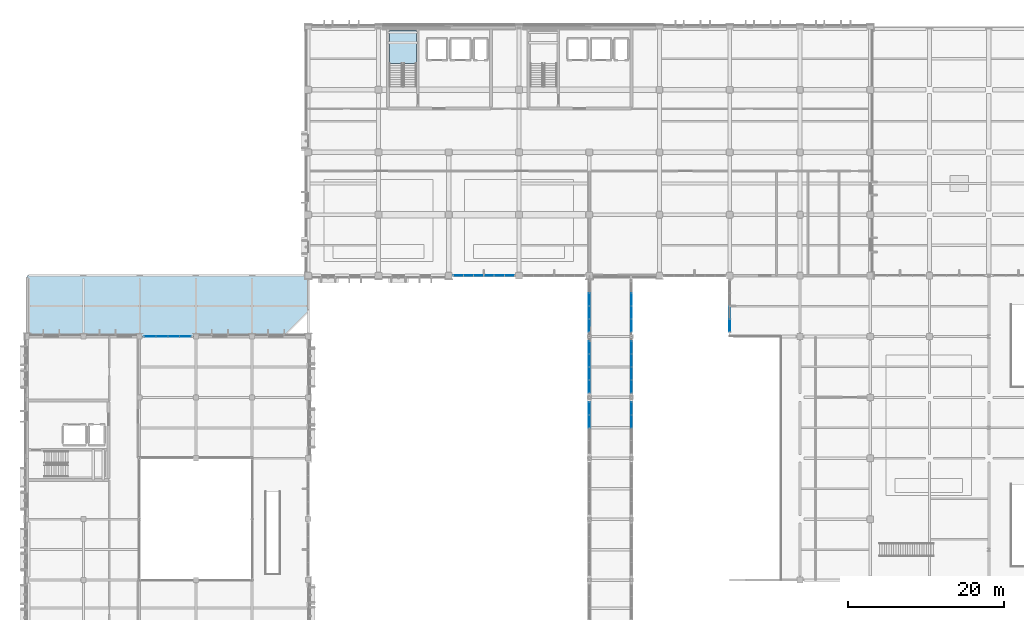
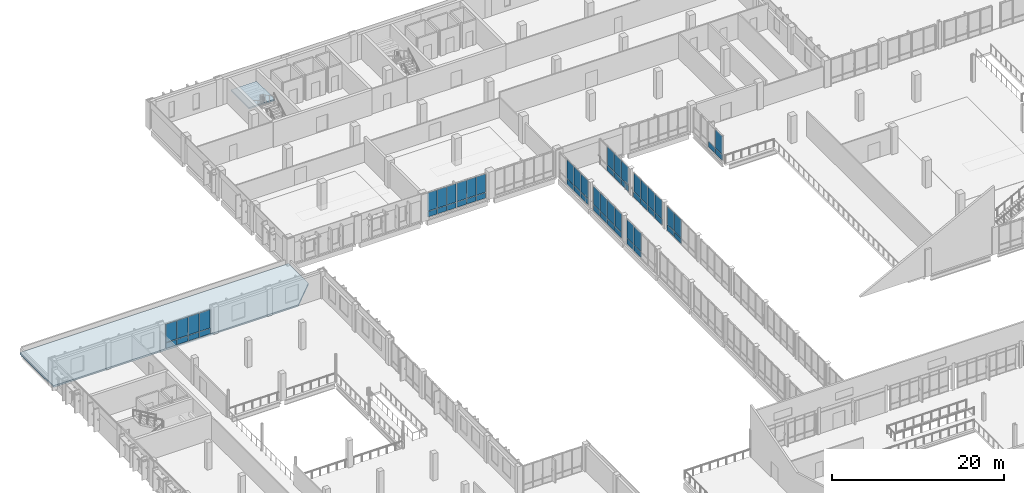
# One storey, part 47 of 85: 59 plates, 2 slabs, 11 elements without a shape of their own.
"""IFC4 building model written with IfcOpenShell, lengths in metres."""

from ifc_helpers import new_model, si_unit, direction, frame, origin, origin_2d, place, context, subcontext, project, spatial, polyline, rectangle, outline, extrude, material, layer, layer_set, type_object, element, aggregate, save


model = new_model("IFC4")

# Units and contexts
model_context = context("Model", 3, precision=1e-05, world=origin(), true_north=direction((0.0, 1.0)))
body_context = subcontext(model_context, "Body", "Model", "MODEL_VIEW")
ifc_project = project(units=[si_unit("LENGTHUNIT", "METRE"), si_unit("AREAUNIT", "SQUARE_METRE"), si_unit("VOLUMEUNIT", "CUBIC_METRE"), si_unit("PLANEANGLEUNIT", "RADIAN"), si_unit("MASSUNIT", "GRAM", prefix="KILO")], contexts=[model_context])

# Site, building, storey
site_placement = place(None, origin())
site = spatial("IfcSite", under=ifc_project, at=site_placement, CompositionType="ELEMENT")
building_placement = place(site_placement, origin())
building = spatial("IfcBuilding", under=site, at=building_placement, Name="Vervanel Yard Central Library", CompositionType="ELEMENT")
storey_placement = place(building_placement, frame((0.0, 0.0, 5.10009765625)))
storey = spatial("IfcBuildingStorey", under=building, at=storey_placement, Name="L01", CompositionType="ELEMENT", Elevation=5.10009765625)

# Curtain wall, plates
ifc_material_1 = material(Name="Thermally broken anodized aluminium 6063-T6", Category="aluminium")
curtain_wall_type_1 = type_object("IfcCurtainWallType", Name="Boulevard Cafe & Bridge Curtain Wall", PredefinedType="NOTDEFINED", material=ifc_material_1)
curtain_wall_1_placement = place(storey_placement, origin())
curtain_wall_1 = element("IfcCurtainWall", 1, at=curtain_wall_1_placement, inside=storey, type_object=curtain_wall_type_1, Name="L01 Boulevard Cafe & Bridge Curtain Wall CWR-L01-181", PredefinedType="NOTDEFINED")
ifc_material_2 = material(Name="Insulated bronze aluminium spandrel panel", Category="aluminium")
ifc_layer_1 = layer(ifc_material_2, 0.070068359375, Category="aluminium")
ifc_layer_set_1 = layer_set([ifc_layer_1], Name="Insulated bronze aluminium spandrel panel")
plate_type_1 = type_object("IfcPlateType", Name="Bridge Fascia Spandrel Panel 70", PredefinedType="CURTAIN_PANEL", material=ifc_layer_set_1)
plate_1_placement = place(storey_placement, frame((72.0, 63.527587890625, 0.06005859375), z_axis=(0.0, 0.0, 1.0), x_axis=(0.0, 1.0, 0.0)))
plate_1 = element("IfcPlate", 2, at=plate_1_placement, type_object=plate_type_1, Name="CWR-L01-181 Panel B3-1", PredefinedType="CURTAIN_PANEL", context=body_context, shape_type="SweptSolid", body=[
    extrude(rectangle(XDim=1.594970703125, YDim=0.070068359375, at=origin_2d()), origin(), (0.0, 0.0, 1.0), 0.760009765625),
])
plate_2_placement = place(storey_placement, frame((72.0, 65.1826171875, 0.06005859375), z_axis=(0.0, 0.0, 1.0), x_axis=(0.0, 1.0, 0.0)))
plate_2 = element("IfcPlate", 3, at=plate_2_placement, type_object=plate_type_1, Name="CWR-L01-181 Panel B4-1", PredefinedType="CURTAIN_PANEL", context=body_context, shape_type="SweptSolid", body=[
    extrude(rectangle(XDim=1.594970703125, YDim=0.070068359375, at=origin_2d()), origin(), (0.0, 0.0, 1.0), 0.760009765625),
])

curtain_wall_2_placement = place(storey_placement, origin())
curtain_wall_2 = element("IfcCurtainWall", 4, at=curtain_wall_2_placement, inside=storey, type_object=curtain_wall_type_1, Name="L01 Boulevard Cafe & Bridge Curtain Wall CWR-L01-182", PredefinedType="NOTDEFINED")
plate_3_placement = place(storey_placement, frame((72.0, 68.017578125, 0.06005859375), z_axis=(0.0, 0.0, 1.0), x_axis=(0.0, 1.0, 0.0)))
plate_3 = element("IfcPlate", 5, at=plate_3_placement, type_object=plate_type_1, Name="CWR-L01-182 Panel B1-1", PredefinedType="CURTAIN_PANEL", context=body_context, shape_type="SweptSolid", body=[
    extrude(rectangle(XDim=1.594970703125, YDim=0.070068359375, at=origin_2d()), origin(), (0.0, 0.0, 1.0), 0.760009765625),
])
plate_4_placement = place(storey_placement, frame((72.0, 69.672607421875, 0.06005859375), z_axis=(0.0, 0.0, 1.0), x_axis=(0.0, 1.0, 0.0)))
plate_4 = element("IfcPlate", 6, at=plate_4_placement, type_object=plate_type_1, Name="CWR-L01-182 Panel B2-1", PredefinedType="CURTAIN_PANEL", context=body_context, shape_type="SweptSolid", body=[
    extrude(rectangle(XDim=1.594970703125, YDim=0.070068359375, at=origin_2d()), origin(), (0.0, 0.0, 1.0), 0.760009765625),
])
plate_5_placement = place(storey_placement, frame((72.0, 71.327392578125, 0.06005859375), z_axis=(0.0, 0.0, 1.0), x_axis=(0.0, 1.0, 0.0)))
plate_5 = element("IfcPlate", 7, at=plate_5_placement, type_object=plate_type_1, Name="CWR-L01-182 Panel B3-1", PredefinedType="CURTAIN_PANEL", context=body_context, shape_type="SweptSolid", body=[
    extrude(rectangle(XDim=1.594970703125, YDim=0.070068359375, at=origin_2d()), origin(), (0.0, 0.0, 1.0), 0.760009765625),
])
plate_6_placement = place(storey_placement, frame((72.0, 72.982421875, 0.06005859375), z_axis=(0.0, 0.0, 1.0), x_axis=(0.0, 1.0, 0.0)))
plate_6 = element("IfcPlate", 8, at=plate_6_placement, type_object=plate_type_1, Name="CWR-L01-182 Panel B4-1", PredefinedType="CURTAIN_PANEL", context=body_context, shape_type="SweptSolid", body=[
    extrude(rectangle(XDim=1.594970703125, YDim=0.070068359375, at=origin_2d()), origin(), (0.0, 0.0, 1.0), 0.760009765625),
])

curtain_wall_3_placement = place(storey_placement, origin())
curtain_wall_3 = element("IfcCurtainWall", 9, at=curtain_wall_3_placement, inside=storey, type_object=curtain_wall_type_1, Name="L01 Boulevard Cafe & Bridge Curtain Wall CWR-L01-183", PredefinedType="NOTDEFINED")
plate_7_placement = place(storey_placement, frame((72.0, 75.8173828125, 0.06005859375), z_axis=(0.0, 0.0, 1.0), x_axis=(0.0, 1.0, 0.0)))
plate_7 = element("IfcPlate", 10, at=plate_7_placement, type_object=plate_type_1, Name="CWR-L01-183 Panel B1-1", PredefinedType="CURTAIN_PANEL", context=body_context, shape_type="SweptSolid", body=[
    extrude(rectangle(XDim=1.594970703125, YDim=0.070068359375, at=origin_2d()), origin(), (0.0, 0.0, 1.0), 0.760009765625),
])
plate_8_placement = place(storey_placement, frame((72.0, 77.472412109375, 0.06005859375), z_axis=(0.0, 0.0, 1.0), x_axis=(0.0, 1.0, 0.0)))
plate_8 = element("IfcPlate", 11, at=plate_8_placement, type_object=plate_type_1, Name="CWR-L01-183 Panel B2-1", PredefinedType="CURTAIN_PANEL", context=body_context, shape_type="SweptSolid", body=[
    extrude(rectangle(XDim=1.594970703125, YDim=0.070068359375, at=origin_2d()), origin(), (0.0, 0.0, 1.0), 0.760009765625),
])
plate_9_placement = place(storey_placement, frame((72.0, 79.12744140625, 0.06005859375), z_axis=(0.0, 0.0, 1.0), x_axis=(0.0, 1.0, 0.0)))
plate_9 = element("IfcPlate", 12, at=plate_9_placement, type_object=plate_type_1, Name="CWR-L01-183 Panel B3-1", PredefinedType="CURTAIN_PANEL", context=body_context, shape_type="SweptSolid", body=[
    extrude(rectangle(XDim=1.594970703125, YDim=0.070068359375, at=origin_2d()), origin(), (0.0, 0.0, 1.0), 0.760009765625),
])

curtain_wall_4_placement = place(storey_placement, origin())
curtain_wall_4 = element("IfcCurtainWall", 13, at=curtain_wall_4_placement, inside=storey, type_object=curtain_wall_type_1, Name="L01 Boulevard Cafe & Bridge Curtain Wall CWR-L01-189", PredefinedType="NOTDEFINED")
plate_10_placement = place(storey_placement, frame((77.39990234375, 63.527587890625, 0.06005859375), z_axis=(0.0, 0.0, 1.0), x_axis=(0.0, 1.0, 0.0)))
plate_10 = element("IfcPlate", 14, at=plate_10_placement, type_object=plate_type_1, Name="CWR-L01-189 Panel B3-1", PredefinedType="CURTAIN_PANEL", context=body_context, shape_type="SweptSolid", body=[
    extrude(rectangle(XDim=1.594970703125, YDim=0.070068359375, at=origin_2d()), origin(), (0.0, 0.0, 1.0), 0.760009765625),
])
plate_11_placement = place(storey_placement, frame((77.39990234375, 65.1826171875, 0.06005859375), z_axis=(0.0, 0.0, 1.0), x_axis=(0.0, 1.0, 0.0)))
plate_11 = element("IfcPlate", 15, at=plate_11_placement, type_object=plate_type_1, Name="CWR-L01-189 Panel B4-1", PredefinedType="CURTAIN_PANEL", context=body_context, shape_type="SweptSolid", body=[
    extrude(rectangle(XDim=1.594970703125, YDim=0.070068359375, at=origin_2d()), origin(), (0.0, 0.0, 1.0), 0.760009765625),
])

curtain_wall_5_placement = place(storey_placement, origin())
curtain_wall_5 = element("IfcCurtainWall", 16, at=curtain_wall_5_placement, inside=storey, type_object=curtain_wall_type_1, Name="L01 Boulevard Cafe & Bridge Curtain Wall CWR-L01-190", PredefinedType="NOTDEFINED")
plate_12_placement = place(storey_placement, frame((77.39990234375, 68.017578125, 0.06005859375), z_axis=(0.0, 0.0, 1.0), x_axis=(0.0, 1.0, 0.0)))
plate_12 = element("IfcPlate", 17, at=plate_12_placement, type_object=plate_type_1, Name="CWR-L01-190 Panel B1-1", PredefinedType="CURTAIN_PANEL", context=body_context, shape_type="SweptSolid", body=[
    extrude(rectangle(XDim=1.594970703125, YDim=0.070068359375, at=origin_2d()), origin(), (0.0, 0.0, 1.0), 0.760009765625),
])
plate_13_placement = place(storey_placement, frame((77.39990234375, 69.672607421875, 0.06005859375), z_axis=(0.0, 0.0, 1.0), x_axis=(0.0, 1.0, 0.0)))
plate_13 = element("IfcPlate", 18, at=plate_13_placement, type_object=plate_type_1, Name="CWR-L01-190 Panel B2-1", PredefinedType="CURTAIN_PANEL", context=body_context, shape_type="SweptSolid", body=[
    extrude(rectangle(XDim=1.594970703125, YDim=0.070068359375, at=origin_2d()), origin(), (0.0, 0.0, 1.0), 0.760009765625),
])
plate_14_placement = place(storey_placement, frame((77.39990234375, 71.327392578125, 0.06005859375), z_axis=(0.0, 0.0, 1.0), x_axis=(0.0, 1.0, 0.0)))
plate_14 = element("IfcPlate", 19, at=plate_14_placement, type_object=plate_type_1, Name="CWR-L01-190 Panel B3-1", PredefinedType="CURTAIN_PANEL", context=body_context, shape_type="SweptSolid", body=[
    extrude(rectangle(XDim=1.594970703125, YDim=0.070068359375, at=origin_2d()), origin(), (0.0, 0.0, 1.0), 0.760009765625),
])
plate_15_placement = place(storey_placement, frame((77.39990234375, 72.982421875, 0.06005859375), z_axis=(0.0, 0.0, 1.0), x_axis=(0.0, 1.0, 0.0)))
plate_15 = element("IfcPlate", 20, at=plate_15_placement, type_object=plate_type_1, Name="CWR-L01-190 Panel B4-1", PredefinedType="CURTAIN_PANEL", context=body_context, shape_type="SweptSolid", body=[
    extrude(rectangle(XDim=1.594970703125, YDim=0.070068359375, at=origin_2d()), origin(), (0.0, 0.0, 1.0), 0.760009765625),
])

curtain_wall_6_placement = place(storey_placement, origin())
curtain_wall_6 = element("IfcCurtainWall", 21, at=curtain_wall_6_placement, inside=storey, type_object=curtain_wall_type_1, Name="L01 Boulevard Cafe & Bridge Curtain Wall CWR-L01-191", PredefinedType="NOTDEFINED")
plate_16_placement = place(storey_placement, frame((77.39990234375, 75.8173828125, 0.06005859375), z_axis=(0.0, 0.0, 1.0), x_axis=(0.0, 1.0, 0.0)))
plate_16 = element("IfcPlate", 22, at=plate_16_placement, type_object=plate_type_1, Name="CWR-L01-191 Panel B1-1", PredefinedType="CURTAIN_PANEL", context=body_context, shape_type="SweptSolid", body=[
    extrude(rectangle(XDim=1.594970703125, YDim=0.070068359375, at=origin_2d()), origin(), (0.0, 0.0, 1.0), 0.760009765625),
])
plate_17_placement = place(storey_placement, frame((77.39990234375, 77.472412109375, 0.06005859375), z_axis=(0.0, 0.0, 1.0), x_axis=(0.0, 1.0, 0.0)))
plate_17 = element("IfcPlate", 23, at=plate_17_placement, type_object=plate_type_1, Name="CWR-L01-191 Panel B2-1", PredefinedType="CURTAIN_PANEL", context=body_context, shape_type="SweptSolid", body=[
    extrude(rectangle(XDim=1.594970703125, YDim=0.070068359375, at=origin_2d()), origin(), (0.0, 0.0, 1.0), 0.760009765625),
])
plate_18_placement = place(storey_placement, frame((77.39990234375, 79.12744140625, 0.06005859375), z_axis=(0.0, 0.0, 1.0), x_axis=(0.0, 1.0, 0.0)))
plate_18 = element("IfcPlate", 24, at=plate_18_placement, type_object=plate_type_1, Name="CWR-L01-191 Panel B3-1", PredefinedType="CURTAIN_PANEL", context=body_context, shape_type="SweptSolid", body=[
    extrude(rectangle(XDim=1.594970703125, YDim=0.070068359375, at=origin_2d()), origin(), (0.0, 0.0, 1.0), 0.760009765625),
])

# Plate
ifc_material_3 = material(Name="Double low-E laminated solar-control glass", Category="glass")
ifc_layer_2 = layer(ifc_material_3, 0.028076171875, Category="glass")
ifc_layer_set_2 = layer_set([ifc_layer_2], Name="Double low-E laminated solar-control glass")
plate_type_2 = type_object("IfcPlateType", Name="Bridge UV-Filtered Vision Panel 28", PredefinedType="CURTAIN_PANEL", material=ifc_layer_set_2)
plate_19_placement = place(storey_placement, frame((72.0, 63.527587890625, 0.8798828125), z_axis=(0.0, 0.0, 1.0), x_axis=(0.0, 1.0, 0.0)))
plate_19 = element("IfcPlate", 25, at=plate_19_placement, type_object=plate_type_2, Name="CWR-L01-181 Panel B3-2", PredefinedType="CURTAIN_PANEL", context=body_context, shape_type="SweptSolid", body=[
    extrude(rectangle(XDim=1.594970703125, YDim=0.028076171875, at=origin_2d()), origin(), (0.0, 0.0, 1.0), 2.590087890625),
])

plate_20_placement = place(storey_placement, frame((72.0, 65.1826171875, 0.8798828125), z_axis=(0.0, 0.0, 1.0), x_axis=(0.0, 1.0, 0.0)))
plate_20 = element("IfcPlate", 26, at=plate_20_placement, type_object=plate_type_2, Name="CWR-L01-181 Panel B4-2", PredefinedType="CURTAIN_PANEL", context=body_context, shape_type="SweptSolid", body=[
    extrude(rectangle(XDim=1.594970703125, YDim=0.028076171875, at=origin_2d()), origin(), (0.0, 0.0, 1.0), 2.590087890625),
])

aggregate(curtain_wall_1, [plate_1, plate_19, plate_2, plate_20])

plate_21_placement = place(storey_placement, frame((72.0, 68.017578125, 0.8798828125), z_axis=(0.0, 0.0, 1.0), x_axis=(0.0, 1.0, 0.0)))
plate_21 = element("IfcPlate", 27, at=plate_21_placement, type_object=plate_type_2, Name="CWR-L01-182 Panel B1-2", PredefinedType="CURTAIN_PANEL", context=body_context, shape_type="SweptSolid", body=[
    extrude(rectangle(XDim=1.594970703125, YDim=0.028076171875, at=origin_2d()), origin(), (0.0, 0.0, 1.0), 2.590087890625),
])

plate_22_placement = place(storey_placement, frame((72.0, 69.672607421875, 0.8798828125), z_axis=(0.0, 0.0, 1.0), x_axis=(0.0, 1.0, 0.0)))
plate_22 = element("IfcPlate", 28, at=plate_22_placement, type_object=plate_type_2, Name="CWR-L01-182 Panel B2-2", PredefinedType="CURTAIN_PANEL", context=body_context, shape_type="SweptSolid", body=[
    extrude(rectangle(XDim=1.594970703125, YDim=0.028076171875, at=origin_2d()), origin(), (0.0, 0.0, 1.0), 2.590087890625),
])

plate_23_placement = place(storey_placement, frame((72.0, 71.327392578125, 0.8798828125), z_axis=(0.0, 0.0, 1.0), x_axis=(0.0, 1.0, 0.0)))
plate_23 = element("IfcPlate", 29, at=plate_23_placement, type_object=plate_type_2, Name="CWR-L01-182 Panel B3-2", PredefinedType="CURTAIN_PANEL", context=body_context, shape_type="SweptSolid", body=[
    extrude(rectangle(XDim=1.594970703125, YDim=0.028076171875, at=origin_2d()), origin(), (0.0, 0.0, 1.0), 2.590087890625),
])

plate_24_placement = place(storey_placement, frame((72.0, 72.982421875, 0.8798828125), z_axis=(0.0, 0.0, 1.0), x_axis=(0.0, 1.0, 0.0)))
plate_24 = element("IfcPlate", 30, at=plate_24_placement, type_object=plate_type_2, Name="CWR-L01-182 Panel B4-2", PredefinedType="CURTAIN_PANEL", context=body_context, shape_type="SweptSolid", body=[
    extrude(rectangle(XDim=1.594970703125, YDim=0.028076171875, at=origin_2d()), origin(), (0.0, 0.0, 1.0), 2.590087890625),
])

aggregate(curtain_wall_2, [plate_3, plate_21, plate_4, plate_22, plate_5, plate_23, plate_6, plate_24])

plate_25_placement = place(storey_placement, frame((72.0, 75.8173828125, 0.8798828125), z_axis=(0.0, 0.0, 1.0), x_axis=(0.0, 1.0, 0.0)))
plate_25 = element("IfcPlate", 31, at=plate_25_placement, type_object=plate_type_2, Name="CWR-L01-183 Panel B1-2", PredefinedType="CURTAIN_PANEL", context=body_context, shape_type="SweptSolid", body=[
    extrude(rectangle(XDim=1.594970703125, YDim=0.028076171875, at=origin_2d()), origin(), (0.0, 0.0, 1.0), 2.590087890625),
])

plate_26_placement = place(storey_placement, frame((72.0, 77.472412109375, 0.8798828125), z_axis=(0.0, 0.0, 1.0), x_axis=(0.0, 1.0, 0.0)))
plate_26 = element("IfcPlate", 32, at=plate_26_placement, type_object=plate_type_2, Name="CWR-L01-183 Panel B2-2", PredefinedType="CURTAIN_PANEL", context=body_context, shape_type="SweptSolid", body=[
    extrude(rectangle(XDim=1.594970703125, YDim=0.028076171875, at=origin_2d()), origin(), (0.0, 0.0, 1.0), 2.590087890625),
])

plate_27_placement = place(storey_placement, frame((72.0, 79.12744140625, 0.8798828125), z_axis=(0.0, 0.0, 1.0), x_axis=(0.0, 1.0, 0.0)))
plate_27 = element("IfcPlate", 33, at=plate_27_placement, type_object=plate_type_2, Name="CWR-L01-183 Panel B3-2", PredefinedType="CURTAIN_PANEL", context=body_context, shape_type="SweptSolid", body=[
    extrude(rectangle(XDim=1.594970703125, YDim=0.028076171875, at=origin_2d()), origin(), (0.0, 0.0, 1.0), 2.590087890625),
])

aggregate(curtain_wall_3, [plate_7, plate_25, plate_8, plate_26, plate_9, plate_27])

plate_28_placement = place(storey_placement, frame((77.39990234375, 63.527587890625, 0.8798828125), z_axis=(0.0, 0.0, 1.0), x_axis=(0.0, 1.0, 0.0)))
plate_28 = element("IfcPlate", 34, at=plate_28_placement, type_object=plate_type_2, Name="CWR-L01-189 Panel B3-2", PredefinedType="CURTAIN_PANEL", context=body_context, shape_type="SweptSolid", body=[
    extrude(rectangle(XDim=1.594970703125, YDim=0.028076171875, at=origin_2d()), origin(), (0.0, 0.0, 1.0), 2.590087890625),
])

plate_29_placement = place(storey_placement, frame((77.39990234375, 65.1826171875, 0.8798828125), z_axis=(0.0, 0.0, 1.0), x_axis=(0.0, 1.0, 0.0)))
plate_29 = element("IfcPlate", 35, at=plate_29_placement, type_object=plate_type_2, Name="CWR-L01-189 Panel B4-2", PredefinedType="CURTAIN_PANEL", context=body_context, shape_type="SweptSolid", body=[
    extrude(rectangle(XDim=1.594970703125, YDim=0.028076171875, at=origin_2d()), origin(), (0.0, 0.0, 1.0), 2.590087890625),
])

aggregate(curtain_wall_4, [plate_10, plate_28, plate_11, plate_29])

plate_30_placement = place(storey_placement, frame((77.39990234375, 68.017578125, 0.8798828125), z_axis=(0.0, 0.0, 1.0), x_axis=(0.0, 1.0, 0.0)))
plate_30 = element("IfcPlate", 36, at=plate_30_placement, type_object=plate_type_2, Name="CWR-L01-190 Panel B1-2", PredefinedType="CURTAIN_PANEL", context=body_context, shape_type="SweptSolid", body=[
    extrude(rectangle(XDim=1.594970703125, YDim=0.028076171875, at=origin_2d()), origin(), (0.0, 0.0, 1.0), 2.590087890625),
])

plate_31_placement = place(storey_placement, frame((77.39990234375, 69.672607421875, 0.8798828125), z_axis=(0.0, 0.0, 1.0), x_axis=(0.0, 1.0, 0.0)))
plate_31 = element("IfcPlate", 37, at=plate_31_placement, type_object=plate_type_2, Name="CWR-L01-190 Panel B2-2", PredefinedType="CURTAIN_PANEL", context=body_context, shape_type="SweptSolid", body=[
    extrude(rectangle(XDim=1.594970703125, YDim=0.028076171875, at=origin_2d()), origin(), (0.0, 0.0, 1.0), 2.590087890625),
])

plate_32_placement = place(storey_placement, frame((77.39990234375, 71.327392578125, 0.8798828125), z_axis=(0.0, 0.0, 1.0), x_axis=(0.0, 1.0, 0.0)))
plate_32 = element("IfcPlate", 38, at=plate_32_placement, type_object=plate_type_2, Name="CWR-L01-190 Panel B3-2", PredefinedType="CURTAIN_PANEL", context=body_context, shape_type="SweptSolid", body=[
    extrude(rectangle(XDim=1.594970703125, YDim=0.028076171875, at=origin_2d()), origin(), (0.0, 0.0, 1.0), 2.590087890625),
])

plate_33_placement = place(storey_placement, frame((77.39990234375, 72.982421875, 0.8798828125), z_axis=(0.0, 0.0, 1.0), x_axis=(0.0, 1.0, 0.0)))
plate_33 = element("IfcPlate", 39, at=plate_33_placement, type_object=plate_type_2, Name="CWR-L01-190 Panel B4-2", PredefinedType="CURTAIN_PANEL", context=body_context, shape_type="SweptSolid", body=[
    extrude(rectangle(XDim=1.594970703125, YDim=0.028076171875, at=origin_2d()), origin(), (0.0, 0.0, 1.0), 2.590087890625),
])

aggregate(curtain_wall_5, [plate_12, plate_30, plate_13, plate_31, plate_14, plate_32, plate_15, plate_33])

plate_34_placement = place(storey_placement, frame((77.39990234375, 75.8173828125, 0.8798828125), z_axis=(0.0, 0.0, 1.0), x_axis=(0.0, 1.0, 0.0)))
plate_34 = element("IfcPlate", 40, at=plate_34_placement, type_object=plate_type_2, Name="CWR-L01-191 Panel B1-2", PredefinedType="CURTAIN_PANEL", context=body_context, shape_type="SweptSolid", body=[
    extrude(rectangle(XDim=1.594970703125, YDim=0.028076171875, at=origin_2d()), origin(), (0.0, 0.0, 1.0), 2.590087890625),
])

plate_35_placement = place(storey_placement, frame((77.39990234375, 77.472412109375, 0.8798828125), z_axis=(0.0, 0.0, 1.0), x_axis=(0.0, 1.0, 0.0)))
plate_35 = element("IfcPlate", 41, at=plate_35_placement, type_object=plate_type_2, Name="CWR-L01-191 Panel B2-2", PredefinedType="CURTAIN_PANEL", context=body_context, shape_type="SweptSolid", body=[
    extrude(rectangle(XDim=1.594970703125, YDim=0.028076171875, at=origin_2d()), origin(), (0.0, 0.0, 1.0), 2.590087890625),
])

plate_36_placement = place(storey_placement, frame((77.39990234375, 79.12744140625, 0.8798828125), z_axis=(0.0, 0.0, 1.0), x_axis=(0.0, 1.0, 0.0)))
plate_36 = element("IfcPlate", 42, at=plate_36_placement, type_object=plate_type_2, Name="CWR-L01-191 Panel B3-2", PredefinedType="CURTAIN_PANEL", context=body_context, shape_type="SweptSolid", body=[
    extrude(rectangle(XDim=1.594970703125, YDim=0.028076171875, at=origin_2d()), origin(), (0.0, 0.0, 1.0), 2.590087890625),
])

aggregate(curtain_wall_6, [plate_16, plate_34, plate_17, plate_35, plate_18, plate_36])

# Stair, slab
ifc_material_4 = material(Name="Concrete C40/50", Category="concrete")
stair_type = type_object("IfcStairType", Name="Protected Core Dog-Leg Stair ST-01", PredefinedType="HALF_TURN_STAIR", material=ifc_material_4)
stair_placement = place(storey_placement, origin())
stair = element("IfcStair", 43, at=stair_placement, inside=storey, type_object=stair_type, Name="L01 CORE-A Protected Exit Stair", PredefinedType="HALF_TURN_STAIR")
ifc_layer_3 = layer(ifc_material_4, 0.199951171875, Category="concrete")
ifc_layer_set_3 = layer_set([ifc_layer_3], Name="Concrete C40/50")
slab_type_1 = type_object("IfcSlabType", Name="Core Stair Concrete Landing Slab 200", PredefinedType="LANDING", material=ifc_layer_set_3)
slab_1_placement = place(storey_placement, frame((0.0, 0.0, 1.719970703125)))
slab_1 = element("IfcSlab", 44, at=slab_1_placement, type_object=slab_type_1, Name="ST-01 landing 1", PredefinedType="LANDING", context=body_context, shape_type="SweptSolid", body=[
    extrude(outline(polyline([(49.85009765625, 109.39990234375), (49.85009765625, 113.60009765625), (46.389892578125, 113.60009765625), (46.389892578125, 109.39990234375), (49.85009765625, 109.39990234375)])), origin(), (0.0, 0.0, 1.0), 0.199951171875),
])
aggregate(stair, [slab_1])

# Curtain wall, plates
curtain_wall_type_2 = type_object("IfcCurtainWallType", Name="Atrium Courtyard Curtain Wall", PredefinedType="NOTDEFINED", material=ifc_material_1)
curtain_wall_7_placement = place(storey_placement, origin())
curtain_wall_7 = element("IfcCurtainWall", 45, at=curtain_wall_7_placement, inside=storey, type_object=curtain_wall_type_2, Name="L01 Atrium Courtyard Curtain Wall CWR-L01-001", PredefinedType="NOTDEFINED")
ifc_layer_4 = layer(ifc_material_3, 0.030029296875, Category="glass")
ifc_layer_set_4 = layer_set([ifc_layer_4], Name="Double low-E laminated solar-control glass")
plate_type_3 = type_object("IfcPlateType", Name="Courtyard Clear Low-E Panel 30", PredefinedType="CURTAIN_PANEL", material=ifc_layer_set_4)
plate_37_placement = place(storey_placement, frame((55.23828125, 82.199951171875, 0.88232421875), z_axis=(0.0, 0.0, 1.0), x_axis=(1.0, 0.0, 0.0)))
plate_37 = element("IfcPlate", 46, at=plate_37_placement, type_object=plate_type_3, Name="CWR-L01-001 Panel B1-2", PredefinedType="CURTAIN_PANEL", context=body_context, shape_type="SweptSolid", body=[
    extrude(rectangle(XDim=1.2265625, YDim=0.030029296875, at=origin_2d()), origin(), (0.0, 0.0, 1.0), 2.58251953125),
])
plate_38_placement = place(storey_placement, frame((56.530029296875, 82.199951171875, 0.88232421875), z_axis=(0.0, 0.0, 1.0), x_axis=(1.0, 0.0, 0.0)))
plate_38 = element("IfcPlate", 47, at=plate_38_placement, type_object=plate_type_3, Name="CWR-L01-001 Panel B2-2", PredefinedType="CURTAIN_PANEL", context=body_context, shape_type="SweptSolid", body=[
    extrude(rectangle(XDim=1.2265625, YDim=0.030029296875, at=origin_2d()), origin(), (0.0, 0.0, 1.0), 2.58251953125),
])
plate_39_placement = place(storey_placement, frame((57.82177734375, 82.199951171875, 0.88232421875), z_axis=(0.0, 0.0, 1.0), x_axis=(1.0, 0.0, 0.0)))
plate_39 = element("IfcPlate", 48, at=plate_39_placement, type_object=plate_type_3, Name="CWR-L01-001 Panel B3-2", PredefinedType="CURTAIN_PANEL", context=body_context, shape_type="SweptSolid", body=[
    extrude(rectangle(XDim=1.2265625, YDim=0.030029296875, at=origin_2d()), origin(), (0.0, 0.0, 1.0), 2.58251953125),
])

curtain_wall_8_placement = place(storey_placement, origin())
curtain_wall_8 = element("IfcCurtainWall", 49, at=curtain_wall_8_placement, inside=storey, type_object=curtain_wall_type_2, Name="L01 Atrium Courtyard Curtain Wall CWR-L01-002", PredefinedType="NOTDEFINED")
plate_40_placement = place(storey_placement, frame((59.17822265625, 82.199951171875, 0.88232421875), z_axis=(0.0, 0.0, 1.0), x_axis=(1.0, 0.0, 0.0)))
plate_40 = element("IfcPlate", 50, at=plate_40_placement, type_object=plate_type_3, Name="CWR-L01-002 Panel B1-2", PredefinedType="CURTAIN_PANEL", context=body_context, shape_type="SweptSolid", body=[
    extrude(rectangle(XDim=1.2265625, YDim=0.030029296875, at=origin_2d()), origin(), (0.0, 0.0, 1.0), 2.58251953125),
])
plate_41_placement = place(storey_placement, frame((60.469970703125, 82.199951171875, 0.88232421875), z_axis=(0.0, 0.0, 1.0), x_axis=(1.0, 0.0, 0.0)))
plate_41 = element("IfcPlate", 51, at=plate_41_placement, type_object=plate_type_3, Name="CWR-L01-002 Panel B2-2", PredefinedType="CURTAIN_PANEL", context=body_context, shape_type="SweptSolid", body=[
    extrude(rectangle(XDim=1.2265625, YDim=0.030029296875, at=origin_2d()), origin(), (0.0, 0.0, 1.0), 2.58251953125),
])
plate_42_placement = place(storey_placement, frame((61.76171875, 82.199951171875, 0.88232421875), z_axis=(0.0, 0.0, 1.0), x_axis=(1.0, 0.0, 0.0)))
plate_42 = element("IfcPlate", 52, at=plate_42_placement, type_object=plate_type_3, Name="CWR-L01-002 Panel B3-2", PredefinedType="CURTAIN_PANEL", context=body_context, shape_type="SweptSolid", body=[
    extrude(rectangle(XDim=1.2265625, YDim=0.030029296875, at=origin_2d()), origin(), (0.0, 0.0, 1.0), 2.58251953125),
])

# Curtain wall, plate
curtain_wall_type_3 = type_object("IfcCurtainWallType", Name="Reading Hall Full-Height Curtain Wall", PredefinedType="NOTDEFINED", material=ifc_material_1)
curtain_wall_9_placement = place(storey_placement, origin())
curtain_wall_9 = element("IfcCurtainWall", 53, at=curtain_wall_9_placement, inside=storey, type_object=curtain_wall_type_3, Name="L01 Reading Hall Full-Height Curtain Wall CWR-L01-050", PredefinedType="NOTDEFINED")
plate_43_placement = place(storey_placement, frame((90.0, 75.8125, 0.884765625), z_axis=(0.0, 0.0, 1.0), x_axis=(0.0, 1.0, 0.0)))
plate_43 = element("IfcPlate", 54, at=plate_43_placement, type_object=plate_type_3, Name="CWR-L01-050 Panel B1-2", PredefinedType="CURTAIN_PANEL", context=body_context, shape_type="SweptSolid", body=[
    extrude(rectangle(XDim=1.56494140625, YDim=0.030029296875, at=origin_2d()), origin(), (0.0, 0.0, 1.0), 2.574951171875),
])

# Slab
ifc_layer_5 = layer(ifc_material_4, 0.25, Category="concrete")
ifc_layer_set_5 = layer_set([ifc_layer_5], Name="Concrete C40/50")
slab_type_2 = type_object("IfcSlabType", Name="Flat Concrete Roof Slab 250", PredefinedType="ROOF", material=ifc_layer_set_5)
slab_2_placement = place(storey_placement, frame((0.0, 0.0, -0.25)))
element("IfcSlab", 55, at=slab_2_placement, inside=storey, type_object=slab_type_2, Name="L01 V2 Flat Concrete Roof Slab 250", PredefinedType="ROOF", context=body_context, shape_type="SweptSolid", body=[
    extrude(outline(polyline([(0.0, 74.39990234375), (32.800048828125, 74.39990234375), (36.0, 77.60009765625), (36.0, 82.199951171875), (0.0, 82.199951171875), (0.0, 74.39990234375)])), origin(), (0.0, 0.0, 1.0), 0.25),
])

# Plate
ifc_layer_6 = layer(ifc_material_2, 0.080078125, Category="aluminium")
ifc_layer_set_6 = layer_set([ifc_layer_6], Name="Insulated bronze aluminium spandrel panel")
plate_type_4 = type_object("IfcPlateType", Name="Insulated Bronze Spandrel Panel 80", PredefinedType="CURTAIN_PANEL", material=ifc_layer_set_6)
plate_44_placement = place(storey_placement, frame((55.23828125, 82.199951171875, 0.06494140625), z_axis=(0.0, 0.0, 1.0), x_axis=(1.0, 0.0, 0.0)))
plate_44 = element("IfcPlate", 56, at=plate_44_placement, type_object=plate_type_4, Name="CWR-L01-001 Panel B1-1", PredefinedType="CURTAIN_PANEL", context=body_context, shape_type="SweptSolid", body=[
    extrude(rectangle(XDim=1.2265625, YDim=0.080078125, at=origin_2d()), origin(), (0.0, 0.0, 1.0), 0.75244140625),
])

plate_45_placement = place(storey_placement, frame((56.530029296875, 82.199951171875, 0.06494140625), z_axis=(0.0, 0.0, 1.0), x_axis=(1.0, 0.0, 0.0)))
plate_45 = element("IfcPlate", 57, at=plate_45_placement, type_object=plate_type_4, Name="CWR-L01-001 Panel B2-1", PredefinedType="CURTAIN_PANEL", context=body_context, shape_type="SweptSolid", body=[
    extrude(rectangle(XDim=1.2265625, YDim=0.080078125, at=origin_2d()), origin(), (0.0, 0.0, 1.0), 0.75244140625),
])

plate_46_placement = place(storey_placement, frame((57.82177734375, 82.199951171875, 0.06494140625), z_axis=(0.0, 0.0, 1.0), x_axis=(1.0, 0.0, 0.0)))
plate_46 = element("IfcPlate", 58, at=plate_46_placement, type_object=plate_type_4, Name="CWR-L01-001 Panel B3-1", PredefinedType="CURTAIN_PANEL", context=body_context, shape_type="SweptSolid", body=[
    extrude(rectangle(XDim=1.2265625, YDim=0.080078125, at=origin_2d()), origin(), (0.0, 0.0, 1.0), 0.75244140625),
])

aggregate(curtain_wall_7, [plate_44, plate_37, plate_45, plate_38, plate_46, plate_39])

plate_47_placement = place(storey_placement, frame((59.17822265625, 82.199951171875, 0.06494140625), z_axis=(0.0, 0.0, 1.0), x_axis=(1.0, 0.0, 0.0)))
plate_47 = element("IfcPlate", 59, at=plate_47_placement, type_object=plate_type_4, Name="CWR-L01-002 Panel B1-1", PredefinedType="CURTAIN_PANEL", context=body_context, shape_type="SweptSolid", body=[
    extrude(rectangle(XDim=1.2265625, YDim=0.080078125, at=origin_2d()), origin(), (0.0, 0.0, 1.0), 0.75244140625),
])

plate_48_placement = place(storey_placement, frame((60.469970703125, 82.199951171875, 0.06494140625), z_axis=(0.0, 0.0, 1.0), x_axis=(1.0, 0.0, 0.0)))
plate_48 = element("IfcPlate", 60, at=plate_48_placement, type_object=plate_type_4, Name="CWR-L01-002 Panel B2-1", PredefinedType="CURTAIN_PANEL", context=body_context, shape_type="SweptSolid", body=[
    extrude(rectangle(XDim=1.2265625, YDim=0.080078125, at=origin_2d()), origin(), (0.0, 0.0, 1.0), 0.75244140625),
])

plate_49_placement = place(storey_placement, frame((61.76171875, 82.199951171875, 0.06494140625), z_axis=(0.0, 0.0, 1.0), x_axis=(1.0, 0.0, 0.0)))
plate_49 = element("IfcPlate", 61, at=plate_49_placement, type_object=plate_type_4, Name="CWR-L01-002 Panel B3-1", PredefinedType="CURTAIN_PANEL", context=body_context, shape_type="SweptSolid", body=[
    extrude(rectangle(XDim=1.2265625, YDim=0.080078125, at=origin_2d()), origin(), (0.0, 0.0, 1.0), 0.75244140625),
])

aggregate(curtain_wall_8, [plate_47, plate_40, plate_48, plate_41, plate_49, plate_42])

# Curtain wall, plates
curtain_wall_10_placement = place(storey_placement, origin())
curtain_wall_10 = element("IfcCurtainWall", 62, at=curtain_wall_10_placement, inside=storey, type_object=curtain_wall_type_2, Name="L01 Atrium Courtyard Curtain Wall CWR-L01-032", PredefinedType="NOTDEFINED")
plate_50_placement = place(storey_placement, frame((15.744384765625, 74.39990234375, 0.06494140625), z_axis=(0.0, 0.0, 1.0), x_axis=(1.0, 0.0, 0.0)))
plate_50 = element("IfcPlate", 63, at=plate_50_placement, type_object=plate_type_4, Name="CWR-L01-032 Panel B1-1", PredefinedType="CURTAIN_PANEL", context=body_context, shape_type="SweptSolid", body=[
    extrude(rectangle(XDim=1.438720703125, YDim=0.080078125, at=origin_2d()), origin(), (0.0, 0.0, 1.0), 0.75244140625),
])
plate_51_placement = place(storey_placement, frame((17.248046875, 74.39990234375, 0.06494140625), z_axis=(0.0, 0.0, 1.0), x_axis=(1.0, 0.0, 0.0)))
plate_51 = element("IfcPlate", 64, at=plate_51_placement, type_object=plate_type_4, Name="CWR-L01-032 Panel B2-1", PredefinedType="CURTAIN_PANEL", context=body_context, shape_type="SweptSolid", body=[
    extrude(rectangle(XDim=1.438720703125, YDim=0.080078125, at=origin_2d()), origin(), (0.0, 0.0, 1.0), 0.75244140625),
])
plate_52_placement = place(storey_placement, frame((18.751953125, 74.39990234375, 0.06494140625), z_axis=(0.0, 0.0, 1.0), x_axis=(1.0, 0.0, 0.0)))
plate_52 = element("IfcPlate", 65, at=plate_52_placement, type_object=plate_type_4, Name="CWR-L01-032 Panel B3-1", PredefinedType="CURTAIN_PANEL", context=body_context, shape_type="SweptSolid", body=[
    extrude(rectangle(XDim=1.438720703125, YDim=0.080078125, at=origin_2d()), origin(), (0.0, 0.0, 1.0), 0.75244140625),
])
plate_53_placement = place(storey_placement, frame((20.255615234375, 74.39990234375, 0.06494140625), z_axis=(0.0, 0.0, 1.0), x_axis=(1.0, 0.0, 0.0)))
plate_53 = element("IfcPlate", 66, at=plate_53_placement, type_object=plate_type_4, Name="CWR-L01-032 Panel B4-1", PredefinedType="CURTAIN_PANEL", context=body_context, shape_type="SweptSolid", body=[
    extrude(rectangle(XDim=1.438720703125, YDim=0.080078125, at=origin_2d()), origin(), (0.0, 0.0, 1.0), 0.75244140625),
])

# Plate
ifc_layer_7 = layer(ifc_material_2, 0.094970703125, Category="aluminium")
ifc_layer_set_7 = layer_set([ifc_layer_7], Name="Insulated bronze aluminium spandrel panel")
plate_type_5 = type_object("IfcPlateType", Name="Reading Hall Shadow-Box Spandrel 95", PredefinedType="CURTAIN_PANEL", material=ifc_layer_set_7)
plate_54_placement = place(storey_placement, frame((90.0, 75.8125, 0.06982421875), z_axis=(0.0, 0.0, 1.0), x_axis=(0.0, 1.0, 0.0)))
plate_54 = element("IfcPlate", 67, at=plate_54_placement, type_object=plate_type_5, Name="CWR-L01-050 Panel B1-1", PredefinedType="CURTAIN_PANEL", context=body_context, shape_type="SweptSolid", body=[
    extrude(rectangle(XDim=1.56494140625, YDim=0.094970703125, at=origin_2d()), origin(), (0.0, 0.0, 1.0), 0.7451171875),
])

plate_55_placement = place(storey_placement, frame((90.0, 77.447509765625, 0.06982421875), z_axis=(0.0, 0.0, 1.0), x_axis=(0.0, 1.0, 0.0)))
plate_55 = element("IfcPlate", 68, at=plate_55_placement, type_object=plate_type_5, Name="CWR-L01-050 Panel B2-1", PredefinedType="CURTAIN_PANEL", context=body_context, shape_type="SweptSolid", body=[
    extrude(rectangle(XDim=1.56494140625, YDim=0.094970703125, at=origin_2d()), origin(), (0.0, 0.0, 1.0), 0.7451171875),
])

aggregate(curtain_wall_9, [plate_54, plate_43, plate_55])

ifc_layer_8 = layer(ifc_material_3, 0.031982421875, Category="glass")
ifc_layer_set_8 = layer_set([ifc_layer_8], Name="Double low-E laminated solar-control glass")
plate_type_6 = type_object("IfcPlateType", Name="Vision Low-E Glazed Panel 32", PredefinedType="CURTAIN_PANEL", material=ifc_layer_set_8)
plate_56_placement = place(storey_placement, frame((15.744384765625, 74.39990234375, 0.88232421875), z_axis=(0.0, 0.0, 1.0), x_axis=(1.0, 0.0, 0.0)))
plate_56 = element("IfcPlate", 69, at=plate_56_placement, type_object=plate_type_6, Name="CWR-L01-032 Panel B1-2", PredefinedType="CURTAIN_PANEL", context=body_context, shape_type="SweptSolid", body=[
    extrude(rectangle(XDim=1.438720703125, YDim=0.031982421875, at=origin_2d()), origin(), (0.0, 0.0, 1.0), 2.58251953125),
])

plate_57_placement = place(storey_placement, frame((17.248046875, 74.39990234375, 0.88232421875), z_axis=(0.0, 0.0, 1.0), x_axis=(1.0, 0.0, 0.0)))
plate_57 = element("IfcPlate", 70, at=plate_57_placement, type_object=plate_type_6, Name="CWR-L01-032 Panel B2-2", PredefinedType="CURTAIN_PANEL", context=body_context, shape_type="SweptSolid", body=[
    extrude(rectangle(XDim=1.438720703125, YDim=0.031982421875, at=origin_2d()), origin(), (0.0, 0.0, 1.0), 2.58251953125),
])

plate_58_placement = place(storey_placement, frame((18.751953125, 74.39990234375, 0.88232421875), z_axis=(0.0, 0.0, 1.0), x_axis=(1.0, 0.0, 0.0)))
plate_58 = element("IfcPlate", 71, at=plate_58_placement, type_object=plate_type_6, Name="CWR-L01-032 Panel B3-2", PredefinedType="CURTAIN_PANEL", context=body_context, shape_type="SweptSolid", body=[
    extrude(rectangle(XDim=1.438720703125, YDim=0.031982421875, at=origin_2d()), origin(), (0.0, 0.0, 1.0), 2.58251953125),
])

plate_59_placement = place(storey_placement, frame((20.255615234375, 74.39990234375, 0.88232421875), z_axis=(0.0, 0.0, 1.0), x_axis=(1.0, 0.0, 0.0)))
plate_59 = element("IfcPlate", 72, at=plate_59_placement, type_object=plate_type_6, Name="CWR-L01-032 Panel B4-2", PredefinedType="CURTAIN_PANEL", context=body_context, shape_type="SweptSolid", body=[
    extrude(rectangle(XDim=1.438720703125, YDim=0.031982421875, at=origin_2d()), origin(), (0.0, 0.0, 1.0), 2.58251953125),
])

aggregate(curtain_wall_10, [plate_50, plate_56, plate_51, plate_57, plate_52, plate_58, plate_53, plate_59])

save(model, "model.ifc")
